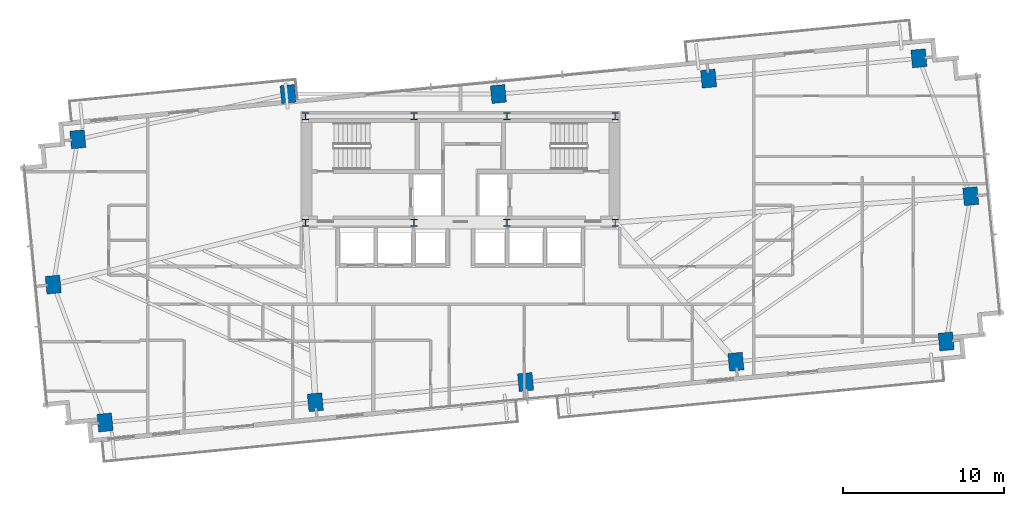
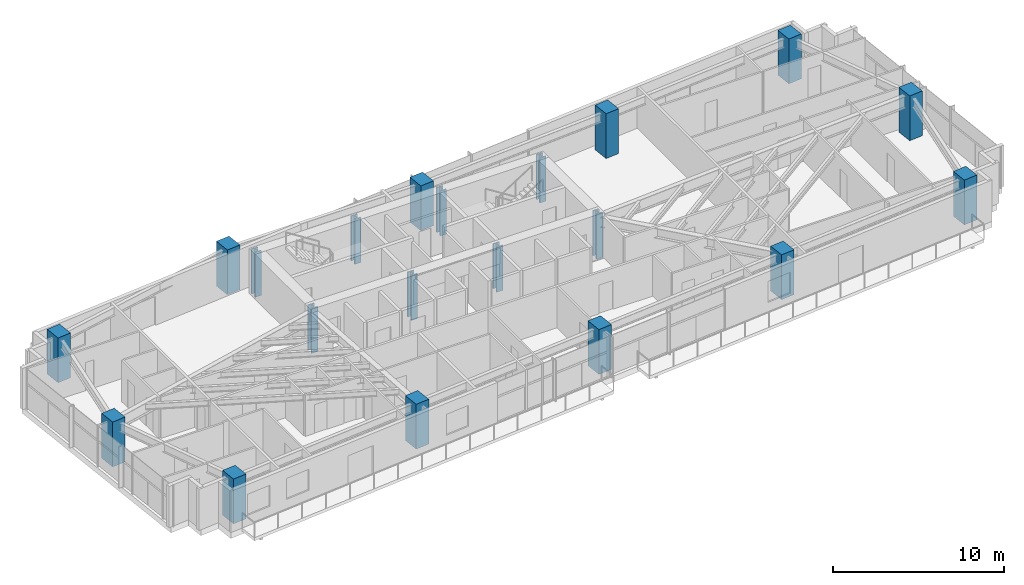
# One storey, part 1 of 25: 20 columns.
"""IFC4 building model written with IfcOpenShell, lengths in metres."""

from ifc_helpers import new_model, si_unit, direction, frame, origin, origin_2d, place, context, subcontext, project, spatial, rectangle, i_section, extrude, source, transform, mapped, material, material_profile, profile_set, type_object, type_shapes, element, save


model = new_model("IFC4")

# Units and contexts
model_context = context("Model", 3, precision=1e-05, world=origin(), true_north=direction((0.0, 1.0)))
body_context = subcontext(model_context, "Body", "Model", "MODEL_VIEW")
ifc_project = project(units=[si_unit("LENGTHUNIT", "METRE"), si_unit("AREAUNIT", "SQUARE_METRE"), si_unit("VOLUMEUNIT", "CUBIC_METRE"), si_unit("PLANEANGLEUNIT", "RADIAN"), si_unit("MASSUNIT", "GRAM", prefix="KILO")], contexts=[model_context])

# Site, building, storey
site_placement = place(None, origin())
site = spatial("IfcSite", under=ifc_project, at=site_placement, CompositionType="ELEMENT")
building_placement = place(site_placement, origin())
building = spatial("IfcBuilding", under=site, at=building_placement, Name="Astriad Promenade Condominiums", CompositionType="ELEMENT")
storey_placement = place(building_placement, frame((0.0, 0.0, 77.800048828125)))
storey = spatial("IfcBuildingStorey", under=building, at=storey_placement, Name="L21", CompositionType="ELEMENT", Elevation=77.800048828125)

# Columns
ifc_material_1 = material(Name="Steel ASTM A992 Grade 50", Category="steel")
ifc_material_profile_1 = material_profile(ifc_material_1, i_section(OverallWidth=0.427490234375, OverallDepth=0.483154296875, WebThickness=0.05126953125, FlangeThickness=0.08154296875, FilletRadius=0.017822265625, at=origin_2d()), Name="W14X455")
ifc_profile_set_1 = profile_set([ifc_material_profile_1], Name="Steel ASTM A992 Grade 50")
column_type_1 = type_object("IfcColumnType", Name="STEEL CORE PILASTER W14X455", PredefinedType="PILASTER", material=ifc_profile_set_1)
shared_shape_1 = source(origin(), body_context, "Body", "SweptSolid", [
    extrude(i_section(OverallWidth=0.427490234375, OverallDepth=0.483154296875, WebThickness=0.05126953125, FlangeThickness=0.08154296875, FilletRadius=0.017822265625, at=origin_2d()), origin(), (0.0, 0.0, 1.0), 3.196044921875),
])
type_shapes(column_type_1, [shared_shape_1])
for number, where, z_axis, x_axis, name in (
    (1, (26.39990234375, 17.39990234375, 0.001953125), (0.0, 0.0, 1.0), (1.0, 0.0, 0.0), "Core Pilaster Column CP1 (L21)"),
    (2, (33.1201171875, 17.39990234375, 0.001953125), (0.0, 0.0, 1.0), (1.0, 0.0, 0.0), "Core Pilaster Column CP2 (L21)"),
    (3, (38.8798828125, 17.39990234375, 0.001953125), (0.0, 0.0, 1.0), (1.0, 0.0, 0.0), "Core Pilaster Column CP3 (L21)"),
    (4, (45.60009765625, 17.39990234375, 0.001953125), (0.0, 0.0, 1.0), (1.0, 0.0, 0.0), "Core Pilaster Column CP4 (L21)"),
    (5, (26.39990234375, 24.0, 0.001953125), (0.0, 0.0, 1.0), (1.0, 0.0, 0.0), "Core Pilaster Column CP5 (L21)"),
    (6, (33.1201171875, 24.0, 0.001953125), (0.0, 0.0, 1.0), (1.0, 0.0, 0.0), "Core Pilaster Column CP6 (L21)"),
    (7, (38.8798828125, 24.0, 0.001953125), (0.0, 0.0, 1.0), (1.0, 0.0, 0.0), "Core Pilaster Column CP7 (L21)"),
    (8, (45.60009765625, 24.0, 0.001953125), (0.0, 0.0, 1.0), (1.0, 0.0, 0.0), "Core Pilaster Column CP8 (L21)"),
):
    element("IfcColumn", number, at=place(storey_placement, frame(where, z_axis=z_axis, x_axis=x_axis)), inside=storey, type_object=column_type_1, Name=name, PredefinedType="PILASTER", context=body_context, shape_type="MappedRepresentation", body=[
        mapped(shared_shape_1, transform((0.0, 0.0, 0.0), scale=1.0)),
    ])
ifc_material_2 = material(Name="Concrete C60/75", Category="concrete")
ifc_material_profile_2 = material_profile(ifc_material_2, rectangle(XDim=0.89990234375, YDim=1.10009765625, at=origin_2d()), Name="RC-COL-1100X900")
ifc_profile_set_2 = profile_set([ifc_material_profile_2], Name="Concrete C60/75")
column_type_2 = type_object("IfcColumnType", Name="CONCRETE TOWER COLUMN 1100X900", PredefinedType="COLUMN", material=ifc_profile_set_2)
shared_shape_2 = source(origin(), body_context, "Body", "SweptSolid", [
    extrude(rectangle(XDim=0.89990234375, YDim=1.10009765625, at=origin_2d()), origin(), (0.0, 0.0, 1.0), 3.194091796875),
])
type_shapes(column_type_2, [shared_shape_2])
for number, where, z_axis, x_axis, name in (
    (9, (13.966064453125, 5.009521484375, 0.00390625), (0.0, 0.0, 1.0), (0.995396198367, 0.09584575252, 0.0), "Perimeter Column PC01 (L21)"),
    (10, (27.005615234375, 6.264892578125, 0.00390625), (0.0, 0.0, 1.0), (0.995396198367, 0.09584575252, 0.0), "Perimeter Column PC02 (L21)"),
    (11, (40.04541015625, 7.5205078125, 0.00390625), (0.0, 0.0, 1.0), (0.995396198367, 0.09584575252, 0.0), "Perimeter Column PC03 (L21)"),
    (12, (53.0849609375, 8.776123046875, 0.00390625), (0.0, 0.0, 1.0), (0.995396198367, 0.09584575252, 0.0), "Perimeter Column PC04 (L21)"),
    (13, (66.124755859375, 10.03173828125, 0.00390625), (0.0, 0.0, 1.0), (0.995396198367, 0.09584575252, 0.0), "Perimeter Column PC05 (L21)"),
    (14, (12.275390625, 22.568115234375, 0.00390625), (0.0, 0.0, 1.0), (0.995396198367, 0.09584575252, 0.0), "Perimeter Column PC06 (L21)"),
    (15, (25.31494140625, 25.3798828125, 0.00390625), (0.0, 0.0, 1.0), (0.995396198367, 0.09584575252, 0.0), "Perimeter Column PC07 (L21)"),
    (16, (38.3544921875, 25.3798828125, 0.00390625), (0.0, 0.0, 1.0), (0.995396198367, 0.09584575252, 0.0), "Perimeter Column PC08 (L21)"),
    (17, (51.394287109375, 26.3349609375, 0.00390625), (0.0, 0.0, 1.0), (0.995396198367, 0.09584575252, 0.0), "Perimeter Column PC09 (L21)"),
    (18, (64.43408203125, 27.590576171875, 0.00390625), (0.0, 0.0, 1.0), (0.995396198367, 0.09584575252, 0.0), "Perimeter Column PC10 (L21)"),
    (19, (10.751708984375, 13.560791015625, 0.00390625), (0.0, 0.0, 1.0), (0.995396198367, 0.09584575252, 0.0), "Perimeter Column PC11 (L21)"),
    (20, (67.6484375, 19.039306640625, 0.00390625), (0.0, 0.0, 1.0), (0.995396198367, 0.09584575252, 0.0), "Perimeter Column PC12 (L21)"),
):
    element("IfcColumn", number, at=place(storey_placement, frame(where, z_axis=z_axis, x_axis=x_axis)), inside=storey, type_object=column_type_2, Name=name, PredefinedType="COLUMN", context=body_context, shape_type="MappedRepresentation", body=[
        mapped(shared_shape_2, transform((0.0, 0.0, 0.0), scale=1.0)),
    ])

save(model, "model.ifc")
